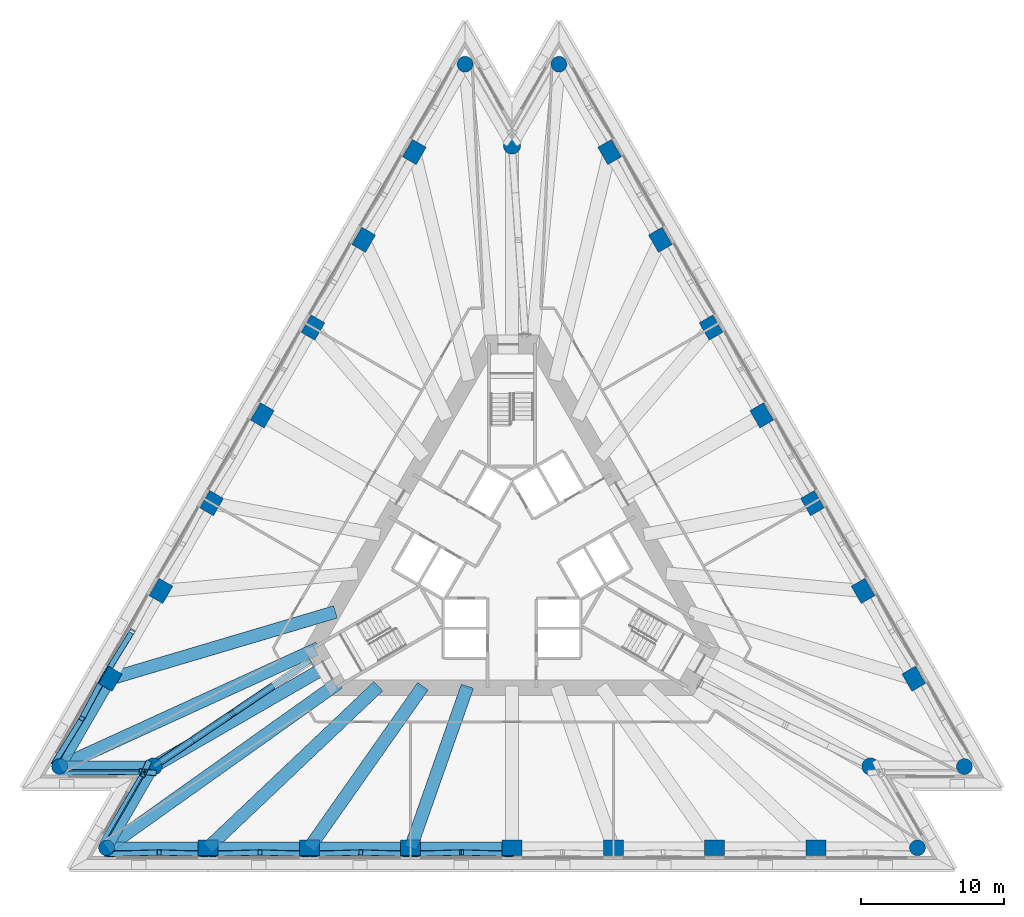
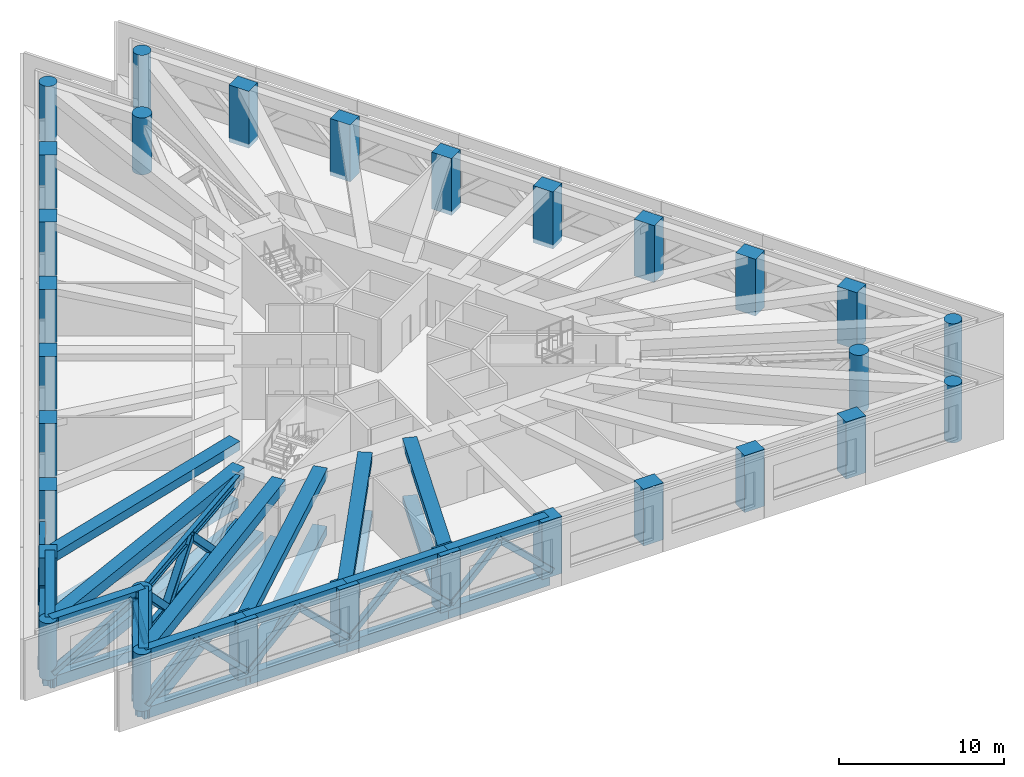
# One storey, part 1 of 13: 30 columns, 27 beams, 20 members.
"""IFC4 building model written with IfcOpenShell, lengths in metres."""

from ifc_helpers import new_model, si_unit, direction, frame, origin, origin_2d, place, context, subcontext, project, spatial, rectangle, hollow_rectangle, circle, i_section, extrude, material, material_profile, profile_set, type_object, element, save


model = new_model("IFC4")

# Units and contexts
model_context = context("Model", 3, precision=1e-05, world=origin(), true_north=direction((0.0, 1.0)))
body_context = subcontext(model_context, "Body", "Model", "MODEL_VIEW")
ifc_project = project(units=[si_unit("LENGTHUNIT", "METRE"), si_unit("AREAUNIT", "SQUARE_METRE"), si_unit("VOLUMEUNIT", "CUBIC_METRE"), si_unit("PLANEANGLEUNIT", "RADIAN"), si_unit("MASSUNIT", "GRAM", prefix="KILO")], contexts=[model_context])

# Site, building, storey
site_placement = place(None, origin())
site = spatial("IfcSite", under=ifc_project, at=site_placement, CompositionType="ELEMENT")
building_placement = place(site_placement, origin())
building = spatial("IfcBuilding", under=site, at=building_placement, Name="Triada Interchange Tower", CompositionType="ELEMENT")
storey_placement = place(building_placement, frame((0.0, 0.0, 95.300048828125)))
storey = spatial("IfcBuildingStorey", under=building, at=storey_placement, Name="L21", CompositionType="ELEMENT", Elevation=95.300048828125)

# Columns
ifc_material_1 = material(Name="Concrete C70/85", Category="concrete")
ifc_material_profile_1 = material_profile(ifc_material_1, rectangle(XDim=1.39990234375, YDim=1.10009765625, at=origin_2d()), Name="RC 1400x1100")
ifc_profile_set_1 = profile_set([ifc_material_profile_1], Name="Concrete C70/85")
column_type_1 = type_object("IfcColumnType", Name="Column A face RC 1400x1100", PredefinedType="COLUMN", material=ifc_profile_set_1)
for number, where, z_axis, x_axis, name in (
    (1, (-6.819091796875, 28.462890625, -0.300048828125), (0.0, 0.0, 1.0), (0.5, 0.866025403784, 0.0), "Column CA02 L21"),
    (2, (-10.35888671875, 22.3310546875, -0.300048828125), (0.0, 0.0, 1.0), (0.5, 0.866025403784, 0.0), "Column CA03 L21"),
    (3, (-13.89892578125, 16.199951171875, -0.300048828125), (0.0, 0.0, 1.0), (0.5, 0.866025403784, 0.0), "Column CA04 L21"),
    (4, (-17.43896484375, 10.068115234375, -0.300048828125), (0.0, 0.0, 1.0), (0.5, 0.866025403784, 0.0), "Column CA05 L21"),
    (5, (-20.97900390625, 3.93701171875, -0.300048828125), (0.0, 0.0, 1.0), (0.5, 0.866025403784, 0.0), "Column CA06 L21"),
    (6, (-24.51904296875, -2.194091796875, -0.300048828125), (0.0, 0.0, 1.0), (0.5, 0.866025403784, 0.0), "Column CA07 L21"),
    (7, (-28.05908203125, -8.325927734375, -0.300048828125), (0.0, 0.0, 1.0), (0.5, 0.866025403784, 0.0), "Column CA08 L21"),
    (8, (-21.239013671875, -20.136962890625, -0.300048828125), (0.0, 0.0, 1.0), (1.0, 0.0, 0.0), "Column CA11 L21"),
    (9, (-14.159912109375, -20.136962890625, -0.300048828125), (0.0, 0.0, 1.0), (1.0, 0.0, 0.0), "Column CA12 L21"),
    (10, (-7.080078125, -20.136962890625, -0.300048828125), (0.0, 0.0, 1.0), (1.0, 0.0, 0.0), "Column CA13 L21"),
    (11, (0.0, -20.136962890625, -0.300048828125), (0.0, 0.0, 1.0), (1.0, 0.0, 0.0), "Column CA14 L21"),
    (12, (7.080078125, -20.136962890625, -0.300048828125), (0.0, 0.0, 1.0), (1.0, 0.0, 0.0), "Column CA15 L21"),
    (13, (14.158935546875, -20.136962890625, -0.300048828125), (0.0, 0.0, 1.0), (1.0, 0.0, 0.0), "Column CA16 L21"),
    (14, (21.239013671875, -20.136962890625, -0.300048828125), (0.0, 0.0, 1.0), (1.0, 0.0, 0.0), "Column CA17 L21"),
    (15, (28.05908203125, -8.325927734375, -0.300048828125), (0.0, 0.0, 1.0), (-0.5, 0.866025403784, 0.0), "Column CA20 L21"),
    (16, (24.51904296875, -2.194091796875, -0.300048828125), (0.0, 0.0, 1.0), (-0.5, 0.866025403784, 0.0), "Column CA21 L21"),
    (17, (20.97900390625, 3.93701171875, -0.300048828125), (0.0, 0.0, 1.0), (-0.5, 0.866025403784, 0.0), "Column CA22 L21"),
    (18, (17.43896484375, 10.068115234375, -0.300048828125), (0.0, 0.0, 1.0), (-0.5, 0.866025403784, 0.0), "Column CA23 L21"),
    (19, (13.89892578125, 16.199951171875, -0.300048828125), (0.0, 0.0, 1.0), (-0.5, 0.866025403784, 0.0), "Column CA24 L21"),
    (20, (10.35888671875, 22.3310546875, -0.300048828125), (0.0, 0.0, 1.0), (-0.5, 0.866025403784, 0.0), "Column CA25 L21"),
    (21, (6.819091796875, 28.462890625, -0.300048828125), (0.0, 0.0, 1.0), (-0.5, 0.866025403784, 0.0), "Column CA26 L21"),
):
    element("IfcColumn", number, at=place(storey_placement, frame(where, z_axis=z_axis, x_axis=x_axis)), inside=storey, type_object=column_type_1, Name=name, PredefinedType="COLUMN", context=body_context, shape_type="SweptSolid", body=[
        extrude(rectangle(XDim=1.39990234375, YDim=1.10009765625, at=origin_2d()), origin(), (0.0, 0.0, 1.0), 4.199951171875),
    ])
ifc_material_profile_2 = material_profile(ifc_material_1, circle(Radius=0.550048828125, at=origin_2d()), Name="RC D1100")
ifc_profile_set_2 = profile_set([ifc_material_profile_2], Name="Concrete C70/85")
column_type_2 = type_object("IfcColumnType", Name="End column A RC D1100", PredefinedType="COLUMN", material=ifc_profile_set_2)
for number, where, z_axis, x_axis, name in (
    (22, (-3.279052734375, 34.593994140625, -0.300048828125), (0.0, 0.0, 1.0), (0.5, 0.866025403784, 0.0), "Column CA01 L21"),
    (23, (-31.59912109375, -14.45703125, -0.300048828125), (0.0, 0.0, 1.0), (0.5, 0.866025403784, 0.0), "Column CA09 L21"),
    (24, (-28.319091796875, -20.136962890625, -0.300048828125), (0.0, 0.0, 1.0), (1.0, 0.0, 0.0), "Column CA10 L21"),
    (25, (28.319091796875, -20.136962890625, -0.300048828125), (0.0, 0.0, 1.0), (1.0, 0.0, 0.0), "Column CA18 L21"),
    (26, (31.59912109375, -14.45703125, -0.300048828125), (0.0, 0.0, 1.0), (-0.5, 0.866025403784, 0.0), "Column CA19 L21"),
    (27, (3.279052734375, 34.593994140625, -0.300048828125), (0.0, 0.0, 1.0), (-0.5, 0.866025403784, 0.0), "Column CA27 L21"),
):
    element("IfcColumn", number, at=place(storey_placement, frame(where, z_axis=z_axis, x_axis=x_axis)), inside=storey, type_object=column_type_2, Name=name, PredefinedType="COLUMN", context=body_context, shape_type="SweptSolid", body=[
        extrude(circle(Radius=0.550048828125, at=origin_2d()), origin(), (0.0, 0.0, 1.0), 4.199951171875),
    ])
ifc_material_profile_3 = material_profile(ifc_material_1, circle(Radius=0.60009765625, at=origin_2d()), Name="RC D1200")
ifc_profile_set_3 = profile_set([ifc_material_profile_3], Name="Concrete C70/85")
column_type_3 = type_object("IfcColumnType", Name="Mega column A RC D1200", PredefinedType="COLUMN", material=ifc_profile_set_3)
for number, where, z_axis, x_axis, name in (
    (28, (0.0, 28.9140625, -0.300048828125), (0.0, 0.0, 1.0), (1.0, 0.0, 0.0), "Column MA1 L21"),
    (29, (-25.0400390625, -14.45703125, -0.300048828125), (0.0, 0.0, 1.0), (1.0, 0.0, 0.0), "Column MA2 L21"),
    (30, (25.0400390625, -14.45703125, -0.300048828125), (0.0, 0.0, 1.0), (1.0, 0.0, 0.0), "Column MA3 L21"),
):
    element("IfcColumn", number, at=place(storey_placement, frame(where, z_axis=z_axis, x_axis=x_axis)), inside=storey, type_object=column_type_3, Name=name, PredefinedType="COLUMN", context=body_context, shape_type="SweptSolid", body=[
        extrude(circle(Radius=0.60009765625, at=origin_2d()), origin(), (0.0, 0.0, 1.0), 4.199951171875),
    ])

# Members
ifc_material_2 = material(Name="Steel S355", Category="steel")
ifc_material_profile_4 = material_profile(ifc_material_2, hollow_rectangle(XDim=0.39990234375, YDim=0.39990234375, WallThickness=0.02001953125, InnerFilletRadius=0.02001953125, OuterFilletRadius=0.030029296875, at=origin_2d()), Name="RHS 400x400x20")
ifc_profile_set_4 = profile_set([ifc_material_profile_4], Name="Steel S355")
member_type_1 = type_object("IfcMemberType", Name="Belt truss diagonal RHS 400x400x20", PredefinedType="BRACE", material=ifc_profile_set_4)
member_1_placement = place(storey_placement, frame((-28.43994140625, -8.10595703125, 0.14990234375), z_axis=(0.386970523008, 0.625717515329, 0.677297132235), x_axis=(-0.8504952598, 0.525982711748, 0.0)))
element("IfcMember", 31, at=member_1_placement, inside=storey, type_object=member_type_1, Name="Belt truss diagonal 014 L21", PredefinedType="BRACE", context=body_context, shape_type="SweptSolid", body=[
    extrude(hollow_rectangle(XDim=0.39990234375, YDim=0.39990234375, WallThickness=0.02001953125, InnerFilletRadius=0.02001953125, OuterFilletRadius=0.030029296875, at=origin_2d()), origin(), (0.0, 0.0, 1.0), 4.9462890625),
])
member_2_placement = place(storey_placement, frame((-28.43994140625, -8.10595703125, 0.14990234375), z_axis=(-0.336227662925, -0.628497315798, 0.701385830138), x_axis=(0.881752735062, -0.471711897466, 0.0)))
element("IfcMember", 32, at=member_2_placement, inside=storey, type_object=member_type_1, Name="Belt truss diagonal 015 L21", PredefinedType="BRACE", context=body_context, shape_type="SweptSolid", body=[
    extrude(hollow_rectangle(XDim=0.39990234375, YDim=0.39990234375, WallThickness=0.02001953125, InnerFilletRadius=0.02001953125, OuterFilletRadius=0.030029296875, at=origin_2d()), origin(), (0.0, 0.0, 1.0), 4.7763671875),
])
member_3_placement = place(storey_placement, frame((-31.97998046875, -14.237060546875, 0.14990234375), z_axis=(0.38872263528, 0.628914165158, 0.673321383654), x_axis=(-0.850631267183, 0.525762729081, 0.0)))
element("IfcMember", 33, at=member_3_placement, inside=storey, type_object=member_type_1, Name="Belt truss diagonal 016 L21", PredefinedType="BRACE", context=body_context, shape_type="SweptSolid", body=[
    extrude(hollow_rectangle(XDim=0.39990234375, YDim=0.39990234375, WallThickness=0.02001953125, InnerFilletRadius=0.02001953125, OuterFilletRadius=0.030029296875, at=origin_2d()), origin(), (0.0, 0.0, 1.0), 4.9755859375),
])
member_4_placement = place(storey_placement, frame((-31.59912109375, -14.89697265625, 0.14990234375), z_axis=(0.863721586244, 0.012043048813, 0.503825353105), x_axis=(-0.013941851765, 0.999902807662, 0.0)))
element("IfcMember", 34, at=member_4_placement, inside=storey, type_object=member_type_1, Name="Belt truss diagonal 017 L21", PredefinedType="BRACE", context=body_context, shape_type="SweptSolid", body=[
    extrude(hollow_rectangle(XDim=0.39990234375, YDim=0.39990234375, WallThickness=0.02001953125, InnerFilletRadius=0.02001953125, OuterFilletRadius=0.030029296875, at=origin_2d()), origin(), (0.0, 0.0, 1.0), 6.6494140625),
])
member_5_placement = place(storey_placement, frame((-25.0400390625, -14.89697265625, 0.14990234375), z_axis=(-0.236569634936, 0.023218085057, 0.971337082764), x_axis=(-0.097675525689, -0.995218313578, 0.0)))
element("IfcMember", 35, at=member_5_placement, inside=storey, type_object=member_type_1, Name="Belt truss diagonal 018 L21", PredefinedType="BRACE", context=body_context, shape_type="SweptSolid", body=[
    extrude(hollow_rectangle(XDim=0.39990234375, YDim=0.39990234375, WallThickness=0.02001953125, InnerFilletRadius=0.02001953125, OuterFilletRadius=0.030029296875, at=origin_2d()), origin(), (0.0, 0.0, 1.0), 3.448974609375),
])
member_6_placement = place(storey_placement, frame((-25.4208984375, -14.237060546875, 0.14990234375), z_axis=(-0.09831286126, -0.216868687474, 0.971237640181), x_axis=(0.910783390263, -0.412884506879, 0.0)))
element("IfcMember", 36, at=member_6_placement, inside=storey, type_object=member_type_1, Name="Belt truss diagonal 019 L21", PredefinedType="BRACE", context=body_context, shape_type="SweptSolid", body=[
    extrude(hollow_rectangle(XDim=0.39990234375, YDim=0.39990234375, WallThickness=0.02001953125, InnerFilletRadius=0.02001953125, OuterFilletRadius=0.030029296875, at=origin_2d()), origin(), (0.0, 0.0, 1.0), 3.44921875),
])
member_7_placement = place(storey_placement, frame((-28.699951171875, -19.9169921875, 0.14990234375), z_axis=(0.442259509247, 0.74191034266, 0.503959889212), x_axis=(-0.858963877667, 0.512036187064, 0.0)))
element("IfcMember", 37, at=member_7_placement, inside=storey, type_object=member_type_1, Name="Belt truss diagonal 020 L21", PredefinedType="BRACE", context=body_context, shape_type="SweptSolid", body=[
    extrude(hollow_rectangle(XDim=0.39990234375, YDim=0.39990234375, WallThickness=0.02001953125, InnerFilletRadius=0.02001953125, OuterFilletRadius=0.030029296875, at=origin_2d()), origin(), (0.0, 0.0, 1.0), 6.6474609375),
])
member_8_placement = place(storey_placement, frame((-28.319091796875, -20.576904296875, 0.14990234375), z_axis=(0.73902208364, 0.022080866983, 0.673319237216), x_axis=(-0.029865166416, 0.999553936431, 0.0)))
element("IfcMember", 38, at=member_8_placement, inside=storey, type_object=member_type_1, Name="Belt truss diagonal 021 L21", PredefinedType="BRACE", context=body_context, shape_type="SweptSolid", body=[
    extrude(hollow_rectangle(XDim=0.39990234375, YDim=0.39990234375, WallThickness=0.02001953125, InnerFilletRadius=0.02001953125, OuterFilletRadius=0.030029296875, at=origin_2d()), origin(), (0.0, 0.0, 1.0), 4.9755859375),
])
member_9_placement = place(storey_placement, frame((-21.239013671875, -20.576904296875, 0.14990234375), z_axis=(-0.712443572087, 0.023000187061, 0.701352370771), x_axis=(-0.032266710837, -0.999479294119, 0.0)))
element("IfcMember", 39, at=member_9_placement, inside=storey, type_object=member_type_1, Name="Belt truss diagonal 022 L21", PredefinedType="BRACE", context=body_context, shape_type="SweptSolid", body=[
    extrude(hollow_rectangle(XDim=0.39990234375, YDim=0.39990234375, WallThickness=0.02001953125, InnerFilletRadius=0.02001953125, OuterFilletRadius=0.030029296875, at=origin_2d()), origin(), (0.0, 0.0, 1.0), 4.776611328125),
])
member_10_placement = place(storey_placement, frame((-21.239013671875, -20.576904296875, 0.14990234375), z_axis=(0.735337083342, 0.02221263929, 0.677337414084), x_axis=(-0.030193651775, 0.999544067759, 0.0)))
element("IfcMember", 40, at=member_10_placement, inside=storey, type_object=member_type_1, Name="Belt truss diagonal 023 L21", PredefinedType="BRACE", context=body_context, shape_type="SweptSolid", body=[
    extrude(hollow_rectangle(XDim=0.39990234375, YDim=0.39990234375, WallThickness=0.02001953125, InnerFilletRadius=0.02001953125, OuterFilletRadius=0.030029296875, at=origin_2d()), origin(), (0.0, 0.0, 1.0), 4.946044921875),
])
member_11_placement = place(storey_placement, frame((-14.159912109375, -20.576904296875, 0.14990234375), z_axis=(-0.716435553502, 0.022866586217, 0.697278435715), x_axis=(-0.031900912573, -0.999491036367, 0.0)))
element("IfcMember", 41, at=member_11_placement, inside=storey, type_object=member_type_1, Name="Belt truss diagonal 024 L21", PredefinedType="BRACE", context=body_context, shape_type="SweptSolid", body=[
    extrude(hollow_rectangle(XDim=0.39990234375, YDim=0.39990234375, WallThickness=0.02001953125, InnerFilletRadius=0.02001953125, OuterFilletRadius=0.030029296875, at=origin_2d()), origin(), (0.0, 0.0, 1.0), 4.804443359375),
])
member_12_placement = place(storey_placement, frame((-14.159912109375, -20.576904296875, 0.14990234375), z_axis=(0.731677982043, 0.022342070429, 0.681284200963), x_axis=(-0.03052116132, 0.999534120834, 0.0)))
element("IfcMember", 42, at=member_12_placement, inside=storey, type_object=member_type_1, Name="Belt truss diagonal 025 L21", PredefinedType="BRACE", context=body_context, shape_type="SweptSolid", body=[
    extrude(hollow_rectangle(XDim=0.39990234375, YDim=0.39990234375, WallThickness=0.02001953125, InnerFilletRadius=0.02001953125, OuterFilletRadius=0.030029296875, at=origin_2d()), origin(), (0.0, 0.0, 1.0), 4.917236328125),
])
member_13_placement = place(storey_placement, frame((-7.080078125, -20.576904296875, 0.14990234375), z_axis=(-0.72043128378, 0.022731319429, 0.693153700465), x_axis=(-0.031536682639, -0.999502595118, 0.0)))
element("IfcMember", 43, at=member_13_placement, inside=storey, type_object=member_type_1, Name="Belt truss diagonal 026 L21", PredefinedType="BRACE", context=body_context, shape_type="SweptSolid", body=[
    extrude(hollow_rectangle(XDim=0.39990234375, YDim=0.39990234375, WallThickness=0.02001953125, InnerFilletRadius=0.02001953125, OuterFilletRadius=0.030029296875, at=origin_2d()), origin(), (0.0, 0.0, 1.0), 4.8330078125),
])
member_14_placement = place(storey_placement, frame((-7.080078125, -20.576904296875, 0.14990234375), z_axis=(0.728071862105, 0.022468271701, 0.68513249841), x_axis=(-0.030845280278, 0.999524171136, 0.0)))
element("IfcMember", 44, at=member_14_placement, inside=storey, type_object=member_type_1, Name="Belt truss diagonal 027 L21", PredefinedType="BRACE", context=body_context, shape_type="SweptSolid", body=[
    extrude(hollow_rectangle(XDim=0.39990234375, YDim=0.39990234375, WallThickness=0.02001953125, InnerFilletRadius=0.02001953125, OuterFilletRadius=0.030029296875, at=origin_2d()), origin(), (0.0, 0.0, 1.0), 4.8896484375),
])
member_15_placement = place(storey_placement, frame((0.0, -20.576904296875, 0.14990234375), z_axis=(-0.724189399114, 0.022602665391, 0.689230609976), x_axis=(-0.031195795653, -0.999513292725, 0.0)))
element("IfcMember", 45, at=member_15_placement, inside=storey, type_object=member_type_1, Name="Belt truss diagonal 028 L21", PredefinedType="BRACE", context=body_context, shape_type="SweptSolid", body=[
    extrude(hollow_rectangle(XDim=0.39990234375, YDim=0.39990234375, WallThickness=0.02001953125, InnerFilletRadius=0.02001953125, OuterFilletRadius=0.030029296875, at=origin_2d()), origin(), (0.0, 0.0, 1.0), 4.860595703125),
])
ifc_material_3 = material(Name="Steel S460M", Category="steel")
ifc_material_profile_5 = material_profile(ifc_material_3, i_section(OverallWidth=0.304931640625, OverallDepth=0.6201171875, WebThickness=0.02099609375, FlangeThickness=0.0400390625, FilletRadius=0.027099609375, at=origin_2d()), Name="HEM 600")
ifc_profile_set_5 = profile_set([ifc_material_profile_5], Name="Steel S460M")
member_type_2 = type_object("IfcMemberType", Name="Outrigger chord HEM 600", PredefinedType="CHORD", material=ifc_profile_set_5)
for number, where, z_axis, x_axis, name in (
    (46, (-14.072021484375, -7.06298828125, 0.31005859375), (-0.829176975605, -0.558986174361, 0.0), (0.558986174361, -0.829176975605, 0.0), "Outrigger bottom chord SW L21"),
    (47, (-14.072021484375, -7.06298828125, 3.58984375), (-0.829176975605, -0.558986174361, 0.0), (0.558986174361, -0.829176975605, 0.0), "Outrigger top chord SW L21"),
):
    element("IfcMember", number, at=place(storey_placement, frame(where, z_axis=z_axis, x_axis=x_axis)), inside=storey, type_object=member_type_2, Name=name, PredefinedType="CHORD", context=body_context, shape_type="SweptSolid", body=[
        extrude(i_section(OverallWidth=0.304931640625, OverallDepth=0.6201171875, WebThickness=0.02099609375, FlangeThickness=0.0400390625, FilletRadius=0.027099609375, at=origin_2d()), origin(), (0.0, 0.0, 1.0), 13.2275390625),
    ])
ifc_material_profile_6 = material_profile(ifc_material_2, hollow_rectangle(XDim=0.5, YDim=0.5, WallThickness=0.02490234375, InnerFilletRadius=0.02490234375, OuterFilletRadius=0.03759765625, at=origin_2d()), Name="RHS 500x500x25")
ifc_profile_set_6 = profile_set([ifc_material_profile_6], Name="Steel S355")
member_type_3 = type_object("IfcMemberType", Name="Outrigger diagonal RHS 500x500x25", PredefinedType="BRACE", material=ifc_profile_set_6)
member_16_placement = place(storey_placement, frame((-16.81396484375, -8.912109375, 0.31005859375), z_axis=(-0.588747267366, -0.396779277597, 0.704232106651), x_axis=(0.558867811737, -0.829256756985, 0.0)))
element("IfcMember", 48, at=member_16_placement, inside=storey, type_object=member_type_3, Name="Outrigger diagonal SW 2 L21", PredefinedType="BRACE", context=body_context, shape_type="SweptSolid", body=[
    extrude(hollow_rectangle(XDim=0.5, YDim=0.5, WallThickness=0.02490234375, InnerFilletRadius=0.02490234375, OuterFilletRadius=0.03759765625, at=origin_2d()), origin(), (0.0, 0.0, 1.0), 4.6572265625),
])
member_17_placement = place(storey_placement, frame((-19.555908203125, -10.760009765625, 3.58984375), z_axis=(-0.588732526857, -0.39694368108, -0.704151777582), x_axis=(0.559036642223, -0.829142950674, 0.0)))
element("IfcMember", 49, at=member_17_placement, inside=storey, type_object=member_type_3, Name="Outrigger diagonal SW 3 L21", PredefinedType="BRACE", context=body_context, shape_type="SweptSolid", body=[
    extrude(hollow_rectangle(XDim=0.5, YDim=0.5, WallThickness=0.02490234375, InnerFilletRadius=0.02490234375, OuterFilletRadius=0.03759765625, at=origin_2d()), origin(), (0.0, 0.0, 1.0), 4.65771484375),
])
member_18_placement = place(storey_placement, frame((-22.298095703125, -12.60888671875, 0.31005859375), z_axis=(-0.588735021106, -0.396823444909, 0.704217458243), x_axis=(0.558918583442, -0.829222537732, 0.0)))
element("IfcMember", 50, at=member_18_placement, inside=storey, type_object=member_type_3, Name="Outrigger diagonal SW 4 L21", PredefinedType="BRACE", context=body_context, shape_type="SweptSolid", body=[
    extrude(hollow_rectangle(XDim=0.5, YDim=0.5, WallThickness=0.02490234375, InnerFilletRadius=0.02490234375, OuterFilletRadius=0.03759765625, at=origin_2d()), origin(), (0.0, 0.0, 1.0), 4.6572265625),
])

# Beams
ifc_material_4 = material(Name="Concrete C50/60", Category="concrete")
ifc_material_profile_7 = material_profile(ifc_material_4, rectangle(XDim=0.89990234375, YDim=0.5, at=origin_2d()), Name="RC 900x500")
ifc_profile_set_7 = profile_set([ifc_material_profile_7], Name="Concrete C50/60")
beam_type_1 = type_object("IfcBeamType", Name="Radial band beam A RC 900x500", PredefinedType="BEAM", material=ifc_profile_set_7)
beam_1_placement = place(storey_placement, frame((-7.080078125, -20.136962890625, -0.550048828125), z_axis=(0.33167618164, 0.943393295785, 0.0), x_axis=(-0.943393295785, 0.33167618164, 0.0)))
element("IfcBeam", 51, at=beam_1_placement, inside=storey, type_object=beam_type_1, Name="Radial band beam BA14 L21", PredefinedType="BEAM", context=body_context, shape_type="SweptSolid", body=[
    extrude(rectangle(XDim=0.89990234375, YDim=0.5, at=origin_2d()), origin(), (0.0, 0.0, 1.0), 11.858154296875),
])
beam_2_placement = place(storey_placement, frame((-7.041015625, -20.027099609375, 3.64990234375), z_axis=(0.331702126335, 0.943384173805, 0.0), x_axis=(-0.943384173805, 0.331702126335, 0.0)))
element("IfcBeam", 52, at=beam_2_placement, inside=storey, type_object=beam_type_1, Name="Radial band beam BA14 L22", PredefinedType="BEAM", context=body_context, shape_type="SweptSolid", body=[
    extrude(rectangle(XDim=0.89990234375, YDim=0.5, at=origin_2d()), origin(), (0.0, 0.0, 1.0), 11.84765625),
])
ifc_material_profile_8 = material_profile(ifc_material_4, rectangle(XDim=0.89990234375, YDim=0.550048828125, at=origin_2d()), Name="RC 900x550")
ifc_profile_set_8 = profile_set([ifc_material_profile_8], Name="Concrete C50/60")
beam_type_2 = type_object("IfcBeamType", Name="Radial band beam A RC 900x550", PredefinedType="BEAM", material=ifc_profile_set_8)
beam_3_placement = place(storey_placement, frame((-25.0400390625, -14.45703125, -0.574951171875), z_axis=(0.866035418383, 0.499982653806, 0.0), x_axis=(-0.499982653806, 0.866035418383, 0.0)))
element("IfcBeam", 53, at=beam_3_placement, inside=storey, type_object=beam_type_2, Name="Radial band beam BA10 L21", PredefinedType="BEAM", context=body_context, shape_type="SweptSolid", body=[
    extrude(rectangle(XDim=0.89990234375, YDim=0.550048828125, at=origin_2d()), origin(), (0.0, 0.0, 1.0), 13.888671875),
])
beam_4_placement = place(storey_placement, frame((-14.159912109375, -20.136962890625, -0.574951171875), z_axis=(0.575229386668, 0.817992147097, 0.0), x_axis=(-0.817992147097, 0.575229386668, 0.0)))
element("IfcBeam", 54, at=beam_4_placement, inside=storey, type_object=beam_type_2, Name="Radial band beam BA13 L21", PredefinedType="BEAM", context=body_context, shape_type="SweptSolid", body=[
    extrude(rectangle(XDim=0.89990234375, YDim=0.550048828125, at=origin_2d()), origin(), (0.0, 0.0, 1.0), 13.67626953125),
])
beam_5_placement = place(storey_placement, frame((-14.08203125, -20.027099609375, 3.625), z_axis=(0.575191511092, 0.818018780694, 0.0), x_axis=(-0.818018780694, 0.575191511092, 0.0)))
element("IfcBeam", 55, at=beam_5_placement, inside=storey, type_object=beam_type_2, Name="Radial band beam BA13 L22", PredefinedType="BEAM", context=body_context, shape_type="SweptSolid", body=[
    extrude(rectangle(XDim=0.89990234375, YDim=0.550048828125, at=origin_2d()), origin(), (0.0, 0.0, 1.0), 13.66357421875),
])
ifc_material_profile_9 = material_profile(ifc_material_4, rectangle(XDim=0.89990234375, YDim=0.64990234375, at=origin_2d()), Name="RC 900x650")
ifc_profile_set_9 = profile_set([ifc_material_profile_9], Name="Concrete C50/60")
beam_type_3 = type_object("IfcBeamType", Name="Radial band beam A RC 900x650", PredefinedType="BEAM", material=ifc_profile_set_9)
beam_6_placement = place(storey_placement, frame((-28.05908203125, -8.325927734375, -0.625), z_axis=(0.958692619813, 0.284444125824, 0.0), x_axis=(-0.284444125824, 0.958692619813, 0.0)))
element("IfcBeam", 56, at=beam_6_placement, inside=storey, type_object=beam_type_3, Name="Radial band beam BA08 L21", PredefinedType="BEAM", context=body_context, shape_type="SweptSolid", body=[
    extrude(rectangle(XDim=0.89990234375, YDim=0.64990234375, at=origin_2d()), origin(), (0.0, 0.0, 1.0), 16.259765625),
])
beam_7_placement = place(storey_placement, frame((-21.239013671875, -20.136962890625, -0.625), z_axis=(0.725678009091, 0.688034466522, 0.0), x_axis=(-0.688034466522, 0.725678009091, 0.0)))
element("IfcBeam", 57, at=beam_7_placement, inside=storey, type_object=beam_type_3, Name="Radial band beam BA12 L21", PredefinedType="BEAM", context=body_context, shape_type="SweptSolid", body=[
    extrude(rectangle(XDim=0.89990234375, YDim=0.64990234375, at=origin_2d()), origin(), (0.0, 0.0, 1.0), 16.25927734375),
])
beam_8_placement = place(storey_placement, frame((-27.905029296875, -8.279052734375, 3.574951171875), z_axis=(0.958687666566, 0.284460819751, 0.0), x_axis=(-0.284460819751, 0.958687666566, 0.0)))
element("IfcBeam", 58, at=beam_8_placement, inside=storey, type_object=beam_type_3, Name="Radial band beam BA08 L22", PredefinedType="BEAM", context=body_context, shape_type="SweptSolid", body=[
    extrude(rectangle(XDim=0.89990234375, YDim=0.64990234375, at=origin_2d()), origin(), (0.0, 0.0, 1.0), 16.2451171875),
])
beam_9_placement = place(storey_placement, frame((-21.1220703125, -20.027099609375, 3.574951171875), z_axis=(0.72566550981, 0.68804764942, 0.0), x_axis=(-0.68804764942, 0.72566550981, 0.0)))
element("IfcBeam", 59, at=beam_9_placement, inside=storey, type_object=beam_type_3, Name="Radial band beam BA12 L22", PredefinedType="BEAM", context=body_context, shape_type="SweptSolid", body=[
    extrude(rectangle(XDim=0.89990234375, YDim=0.64990234375, at=origin_2d()), origin(), (0.0, 0.0, 1.0), 16.24462890625),
])
ifc_material_profile_10 = material_profile(ifc_material_4, rectangle(XDim=0.89990234375, YDim=0.800048828125, at=origin_2d()), Name="RC 900x800")
ifc_profile_set_10 = profile_set([ifc_material_profile_10], Name="Concrete C50/60")
beam_type_4 = type_object("IfcBeamType", Name="Radial band beam A RC 900x800", PredefinedType="BEAM", material=ifc_profile_set_10)
beam_10_placement = place(storey_placement, frame((-31.59912109375, -14.45703125, -0.699951171875), z_axis=(0.909348438379, 0.416035356211, 0.0), x_axis=(-0.416035356211, 0.909348438379, 0.0)))
element("IfcBeam", 60, at=beam_10_placement, inside=storey, type_object=beam_type_4, Name="Radial band beam BA09 L21", PredefinedType="BEAM", context=body_context, shape_type="SweptSolid", body=[
    extrude(rectangle(XDim=0.89990234375, YDim=0.800048828125, at=origin_2d()), origin(), (0.0, 0.0, 1.0), 19.656982421875),
])
beam_11_placement = place(storey_placement, frame((-28.319091796875, -20.136962890625, -0.699951171875), z_axis=(0.814966144089, 0.579508571109, 0.0), x_axis=(-0.579508571109, 0.814966144089, 0.0)))
element("IfcBeam", 61, at=beam_11_placement, inside=storey, type_object=beam_type_4, Name="Radial band beam BA11 L21", PredefinedType="BEAM", context=body_context, shape_type="SweptSolid", body=[
    extrude(rectangle(XDim=0.89990234375, YDim=0.800048828125, at=origin_2d()), origin(), (0.0, 0.0, 1.0), 19.656005859375),
])
beam_12_placement = place(storey_placement, frame((-31.425048828125, -14.376953125, 3.5), z_axis=(0.909362198352, 0.416005279064, 0.0), x_axis=(-0.416005279064, 0.909362198352, 0.0)))
element("IfcBeam", 62, at=beam_12_placement, inside=storey, type_object=beam_type_4, Name="Radial band beam BA09 L22", PredefinedType="BEAM", context=body_context, shape_type="SweptSolid", body=[
    extrude(rectangle(XDim=0.89990234375, YDim=0.800048828125, at=origin_2d()), origin(), (0.0, 0.0, 1.0), 19.69189453125),
])
beam_13_placement = place(storey_placement, frame((-28.1630859375, -20.027099609375, 3.5), z_axis=(0.814952201697, 0.579528177873, 0.0), x_axis=(-0.579528177873, 0.814952201697, 0.0)))
element("IfcBeam", 63, at=beam_13_placement, inside=storey, type_object=beam_type_4, Name="Radial band beam BA11 L22", PredefinedType="BEAM", context=body_context, shape_type="SweptSolid", body=[
    extrude(rectangle(XDim=0.89990234375, YDim=0.800048828125, at=origin_2d()), origin(), (0.0, 0.0, 1.0), 19.692138671875),
])
ifc_material_profile_11 = material_profile(ifc_material_4, rectangle(XDim=0.60009765625, YDim=0.800048828125, at=origin_2d()), Name="RC 600x800")
ifc_profile_set_11 = profile_set([ifc_material_profile_11], Name="Concrete C50/60")
beam_type_5 = type_object("IfcBeamType", Name="Spandrel beam A RC 600x800", PredefinedType="BEAM", material=ifc_profile_set_11)
beam_14_placement = place(storey_placement, frame((-28.05908203125, -8.325927734375, -0.699951171875), z_axis=(-0.500025932755, -0.866010430984, 0.0), x_axis=(0.866010430984, -0.500025932755, 0.0)))
element("IfcBeam", 64, at=beam_14_placement, inside=storey, type_object=beam_type_5, Name="Spandrel beam EA08 L21", PredefinedType="BEAM", context=body_context, shape_type="SweptSolid", body=[
    extrude(rectangle(XDim=0.60009765625, YDim=0.800048828125, at=origin_2d()), origin(), (0.0, 0.0, 1.0), 7.07958984375),
])
beam_15_placement = place(storey_placement, frame((-31.59912109375, -14.45703125, -0.699951171875), z_axis=(1.0, 0.0, 0.0), x_axis=(0.0, 1.0, 0.0)))
element("IfcBeam", 65, at=beam_15_placement, inside=storey, type_object=beam_type_5, Name="Spandrel beam EA09 L21", PredefinedType="BEAM", context=body_context, shape_type="SweptSolid", body=[
    extrude(rectangle(XDim=0.60009765625, YDim=0.800048828125, at=origin_2d()), origin(), (0.0, 0.0, 1.0), 6.55908203125),
])
beam_16_placement = place(storey_placement, frame((-25.0400390625, -14.45703125, -0.699951171875), z_axis=(-0.4999705729, -0.866042392862, 0.0), x_axis=(0.866042392862, -0.4999705729, 0.0)))
element("IfcBeam", 66, at=beam_16_placement, inside=storey, type_object=beam_type_5, Name="Spandrel beam EA10 L21", PredefinedType="BEAM", context=body_context, shape_type="SweptSolid", body=[
    extrude(rectangle(XDim=0.60009765625, YDim=0.800048828125, at=origin_2d()), origin(), (0.0, 0.0, 1.0), 6.55859375),
])
beam_17_placement = place(storey_placement, frame((-28.319091796875, -20.136962890625, -0.699951171875), z_axis=(1.0, 0.0, 0.0), x_axis=(0.0, 1.0, 0.0)))
element("IfcBeam", 67, at=beam_17_placement, inside=storey, type_object=beam_type_5, Name="Spandrel beam EA11 L21", PredefinedType="BEAM", context=body_context, shape_type="SweptSolid", body=[
    extrude(rectangle(XDim=0.60009765625, YDim=0.800048828125, at=origin_2d()), origin(), (0.0, 0.0, 1.0), 7.080078125),
])
beam_18_placement = place(storey_placement, frame((-21.239013671875, -20.136962890625, -0.699951171875), z_axis=(1.0, 0.0, 0.0), x_axis=(0.0, 1.0, 0.0)))
element("IfcBeam", 68, at=beam_18_placement, inside=storey, type_object=beam_type_5, Name="Spandrel beam EA12 L21", PredefinedType="BEAM", context=body_context, shape_type="SweptSolid", body=[
    extrude(rectangle(XDim=0.60009765625, YDim=0.800048828125, at=origin_2d()), origin(), (0.0, 0.0, 1.0), 7.0791015625),
])
beam_19_placement = place(storey_placement, frame((-14.159912109375, -20.136962890625, -0.699951171875), z_axis=(1.0, 0.0, 0.0), x_axis=(0.0, 1.0, 0.0)))
element("IfcBeam", 69, at=beam_19_placement, inside=storey, type_object=beam_type_5, Name="Spandrel beam EA13 L21", PredefinedType="BEAM", context=body_context, shape_type="SweptSolid", body=[
    extrude(rectangle(XDim=0.60009765625, YDim=0.800048828125, at=origin_2d()), origin(), (0.0, 0.0, 1.0), 7.079833984375),
])
beam_20_placement = place(storey_placement, frame((-7.080078125, -20.136962890625, -0.699951171875), z_axis=(1.0, 0.0, 0.0), x_axis=(0.0, 1.0, 0.0)))
element("IfcBeam", 70, at=beam_20_placement, inside=storey, type_object=beam_type_5, Name="Spandrel beam EA14 L21", PredefinedType="BEAM", context=body_context, shape_type="SweptSolid", body=[
    extrude(rectangle(XDim=0.60009765625, YDim=0.800048828125, at=origin_2d()), origin(), (0.0, 0.0, 1.0), 7.080078125),
])
beam_21_placement = place(storey_placement, frame((-27.905029296875, -8.279052734375, 3.5), z_axis=(-0.499935564725, -0.866062602312, 0.0), x_axis=(0.866062602312, -0.499935564725, 0.0)))
element("IfcBeam", 71, at=beam_21_placement, inside=storey, type_object=beam_type_5, Name="Spandrel beam EA08 L22", PredefinedType="BEAM", context=body_context, shape_type="SweptSolid", body=[
    extrude(rectangle(XDim=0.60009765625, YDim=0.800048828125, at=origin_2d()), origin(), (0.0, 0.0, 1.0), 7.041015625),
])
for number, where, z_axis, x_axis, name in (
    (72, (-31.425048828125, -14.376953125, 3.5), (1.0, 0.0, 0.0), (0.0, 1.0, 0.0), "Spandrel beam EA09 L22"),
    (73, (-24.90087890625, -14.376953125, 3.5), (-0.500010741103, -0.866019202317, 0.0), (0.866019202317, -0.500010741103, 0.0), "Spandrel beam EA10 L22"),
):
    element("IfcBeam", number, at=place(storey_placement, frame(where, z_axis=z_axis, x_axis=x_axis)), inside=storey, type_object=beam_type_5, Name=name, PredefinedType="BEAM", context=body_context, shape_type="SweptSolid", body=[
        extrude(rectangle(XDim=0.60009765625, YDim=0.800048828125, at=origin_2d()), origin(), (0.0, 0.0, 1.0), 6.524169921875),
    ])
beam_22_placement = place(storey_placement, frame((-28.1630859375, -20.027099609375, 3.5), z_axis=(1.0, 0.0, 0.0), x_axis=(0.0, 1.0, 0.0)))
element("IfcBeam", 74, at=beam_22_placement, inside=storey, type_object=beam_type_5, Name="Spandrel beam EA11 L22", PredefinedType="BEAM", context=body_context, shape_type="SweptSolid", body=[
    extrude(rectangle(XDim=0.60009765625, YDim=0.800048828125, at=origin_2d()), origin(), (0.0, 0.0, 1.0), 7.041015625),
])
beam_23_placement = place(storey_placement, frame((-21.1220703125, -20.027099609375, 3.5), z_axis=(1.0, 0.0, 0.0), x_axis=(0.0, 1.0, 0.0)))
element("IfcBeam", 75, at=beam_23_placement, inside=storey, type_object=beam_type_5, Name="Spandrel beam EA12 L22", PredefinedType="BEAM", context=body_context, shape_type="SweptSolid", body=[
    extrude(rectangle(XDim=0.60009765625, YDim=0.800048828125, at=origin_2d()), origin(), (0.0, 0.0, 1.0), 7.0400390625),
])
for number, where, z_axis, x_axis, name in (
    (76, (-14.08203125, -20.027099609375, 3.5), (1.0, 0.0, 0.0), (0.0, 1.0, 0.0), "Spandrel beam EA13 L22"),
    (77, (-7.041015625, -20.027099609375, 3.5), (1.0, 0.0, 0.0), (0.0, 1.0, 0.0), "Spandrel beam EA14 L22"),
):
    element("IfcBeam", number, at=place(storey_placement, frame(where, z_axis=z_axis, x_axis=x_axis)), inside=storey, type_object=beam_type_5, Name=name, PredefinedType="BEAM", context=body_context, shape_type="SweptSolid", body=[
        extrude(rectangle(XDim=0.60009765625, YDim=0.800048828125, at=origin_2d()), origin(), (0.0, 0.0, 1.0), 7.041015625),
    ])

save(model, "model.ifc")
